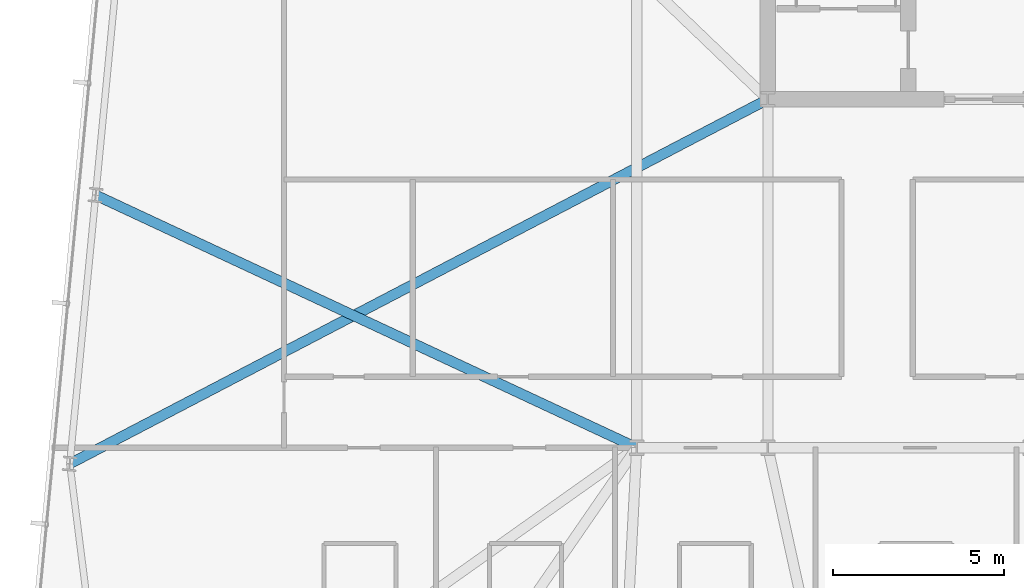
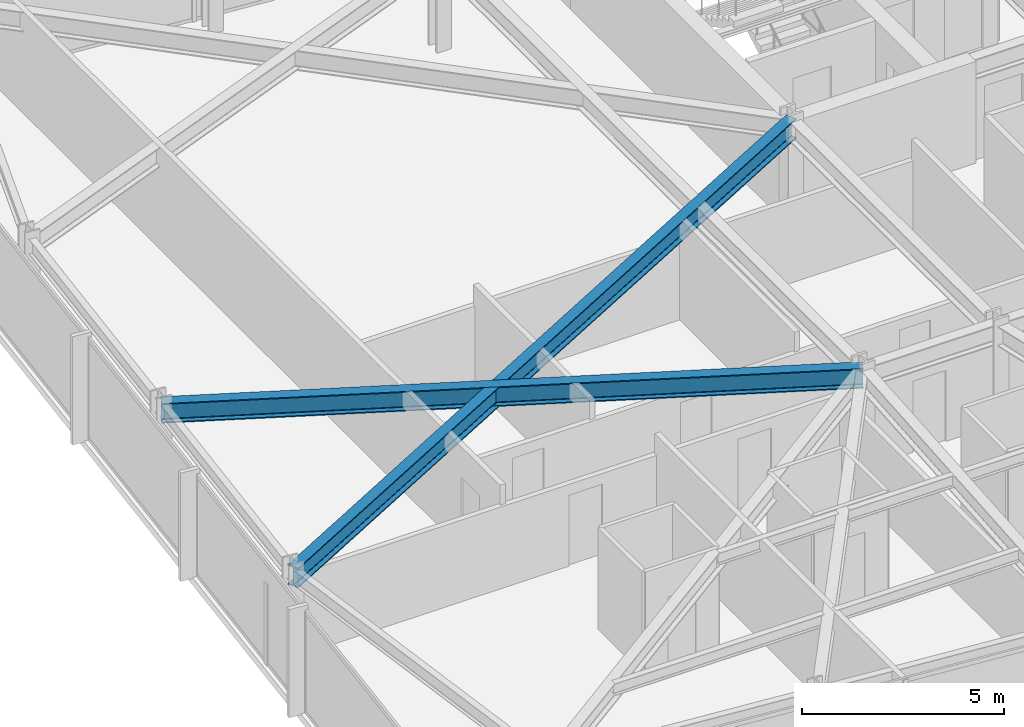
# One storey, part 9 of 37: 2 beams.
"""IFC4 building model written with IfcOpenShell, lengths in metres."""

from ifc_helpers import new_model, si_unit, direction, frame, origin, origin_2d, place, context, subcontext, project, spatial, i_section, extrude, material, material_profile, profile_set, type_object, element, save


model = new_model("IFC4")

# Units and contexts
model_context = context("Model", 3, precision=1e-05, world=origin(), true_north=direction((0.0, 1.0)))
body_context = subcontext(model_context, "Body", "Model", "MODEL_VIEW")
ifc_project = project(units=[si_unit("LENGTHUNIT", "METRE"), si_unit("AREAUNIT", "SQUARE_METRE"), si_unit("VOLUMEUNIT", "CUBIC_METRE"), si_unit("PLANEANGLEUNIT", "RADIAN"), si_unit("MASSUNIT", "GRAM", prefix="KILO")], contexts=[model_context])

# Site, building, storey
site_placement = place(None, origin())
site = spatial("IfcSite", under=ifc_project, at=site_placement, CompositionType="ELEMENT")
building_placement = place(site_placement, origin())
building = spatial("IfcBuilding", under=site, at=building_placement, Name="Yelkora Congress Tower", CompositionType="ELEMENT")
storey_placement = place(building_placement, frame((0.0, 0.0, 158.89990234375)))
storey = spatial("IfcBuildingStorey", under=building, at=storey_placement, Name="L43", CompositionType="ELEMENT", Elevation=158.89990234375)

# Beams
ifc_material = material(Name="Steel S355J2", Category="steel")
ifc_material_profile = material_profile(ifc_material, i_section(OverallWidth=0.300048828125, OverallDepth=0.60009765625, WebThickness=0.015380859375, FlangeThickness=0.030029296875, FilletRadius=0.027099609375, at=origin_2d()), Name="HEB 600")
ifc_profile_set = profile_set([ifc_material_profile], Name="Steel S355J2")
beam_type = type_object("IfcBeamType", Name="BM-GIRD-HEB600", PredefinedType="BEAM", material=ifc_profile_set)
beam_1_placement = place(storey_placement, frame((2.607421875, 24.730712890625, 2.780029296875), z_axis=(0.886430124978, 0.462862434781, 0.0), x_axis=(-0.462862434781, 0.886430124978, 0.0)))
element("IfcBeam", 1, at=beam_1_placement, inside=storey, type_object=beam_type, Name="L43 Primary Frame Girder W01", PredefinedType="BEAM", context=body_context, shape_type="SweptSolid", body=[
    extrude(i_section(OverallWidth=0.300048828125, OverallDepth=0.60009765625, WebThickness=0.015380859375, FlangeThickness=0.030029296875, FilletRadius=0.027099609375, at=origin_2d()), origin(), (0.0, 0.0, 1.0), 23.050537109375),
])
beam_2_placement = place(storey_placement, frame((3.364501953125, 32.594482421875, 2.780029296875), z_axis=(0.906081045456, -0.423104170466, 0.0), x_axis=(0.423104170466, 0.906081045456, 0.0)))
element("IfcBeam", 2, at=beam_2_placement, inside=storey, type_object=beam_type, Name="L43 Primary Frame Girder W02", PredefinedType="BEAM", context=body_context, shape_type="SweptSolid", body=[
    extrude(i_section(OverallWidth=0.300048828125, OverallDepth=0.60009765625, WebThickness=0.015380859375, FlangeThickness=0.030029296875, FilletRadius=0.027099609375, at=origin_2d()), origin(), (0.0, 0.0, 1.0), 17.476806640625),
])

save(model, "model.ifc")
